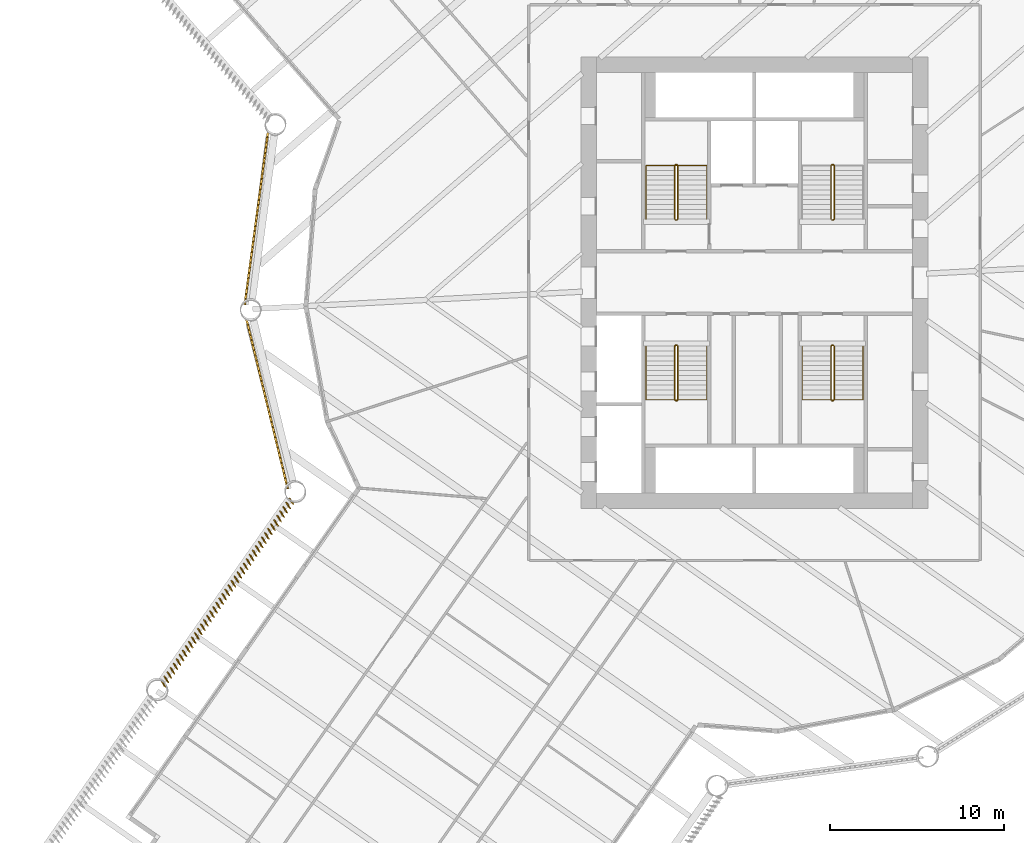
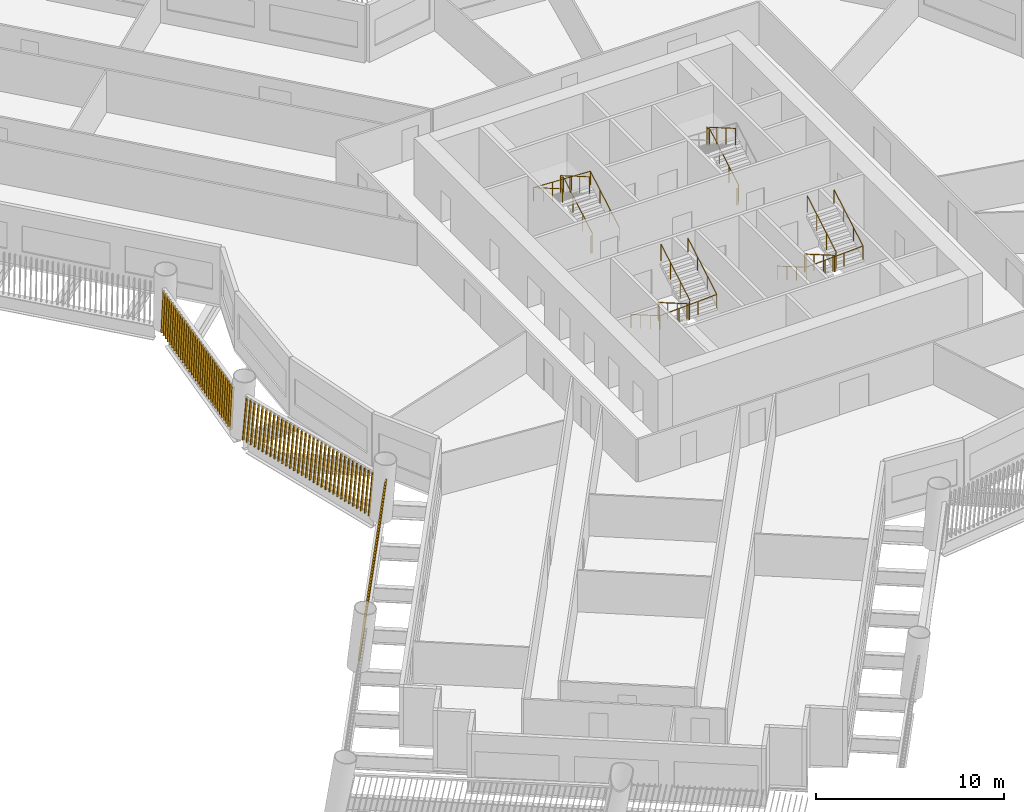
# One storey, part 12 of 15: 7 railings, 3 shading devices.
"""IFC4 building model written with IfcOpenShell, lengths in metres."""

from ifc_helpers import new_model, si_unit, direction, frame, frame_2d, origin, origin_2d, place, context, subcontext, project, spatial, rectangle, circle, composite_profile, extrude, material, type_object, element, save


model = new_model("IFC4")

# Units and contexts
model_context = context("Model", 3, precision=1e-05, world=origin(), true_north=direction((0.0, 1.0)))
body_context = subcontext(model_context, "Body", "Model", "MODEL_VIEW")
ifc_project = project(units=[si_unit("LENGTHUNIT", "METRE"), si_unit("AREAUNIT", "SQUARE_METRE"), si_unit("VOLUMEUNIT", "CUBIC_METRE"), si_unit("PLANEANGLEUNIT", "RADIAN"), si_unit("MASSUNIT", "GRAM", prefix="KILO")], contexts=[model_context])

# Site, building, storey
site_placement = place(None, origin())
site = spatial("IfcSite", under=ifc_project, at=site_placement, CompositionType="ELEMENT")
building_placement = place(site_placement, origin())
building = spatial("IfcBuilding", under=site, at=building_placement, Name="Tarsis Ring Headquarters", CompositionType="ELEMENT")
storey_placement = place(building_placement, frame((0.0, 0.0, 51.699951171875)))
storey = spatial("IfcBuildingStorey", under=building, at=storey_placement, Name="L10", CompositionType="ELEMENT", Elevation=51.699951171875)

# Railings
ifc_material_1 = material(Name="Steel S355", Category="steel")
railing_type_1 = type_object("IfcRailingType", Name="Core stair guard 1100", PredefinedType="GUARDRAIL", material=ifc_material_1)
railing_1_placement = place(storey_placement, frame((-4.5400390625, 3.610107421875, 0.0)))
element("IfcRailing", 1, at=railing_1_placement, inside=storey, type_object=railing_type_1, Name="L10 ST1 stair guard 1", PredefinedType="GUARDRAIL", context=body_context, shape_type="SweptSolid", body=[
    extrude(circle(Radius=0.02392578125, at=origin_2d()), frame((0.0, 0.0, 1.076171875), z_axis=(1.0, 0.0, 0.0), x_axis=(0.0, 1.0, 0.0)), (0.0, 0.0, 1.0), 0.080078125),
    extrude(circle(Radius=0.02392578125, at=origin_2d()), frame((0.080078125, 0.0, 1.076171875), z_axis=(0.282336740067, 0.280959487676, 0.917250092119), x_axis=(-0.705375805398, 0.708833529934, 0.0)), (0.0, 0.0, 1.0), 0.17724609375),
    extrude(circle(Radius=0.02392578125, at=origin_2d()), frame((0.130126953125, 0.0498046875, 1.23876953125), z_axis=(0.0, 0.864920483161, 0.501908913857), x_axis=(-1.0, 0.0, 0.0)), (0.0, 0.0, 1.0), 3.56103515625),
    extrude(circle(Radius=0.02392578125, at=origin_2d()), frame((0.130126953125, 3.1298828125, 3.02587890625), z_axis=(-0.707106781187, 0.707106781187, 0.0), x_axis=(-0.707106781187, -0.707106781187, 0.0)), (0.0, 0.0, 1.0), 0.07080078125),
    extrude(circle(Radius=0.02392578125, at=origin_2d()), frame((0.080078125, 3.179931640625, 3.02587890625), z_axis=(-1.0, 0.0, 0.0), x_axis=(0.0, -1.0, 0.0)), (0.0, 0.0, 1.0), 0.080078125),
    extrude(circle(Radius=0.02392578125, at=origin_2d()), frame((0.0, 3.179931640625, 3.02587890625), z_axis=(-0.282227285176, -0.282227285176, 0.916894497205), x_axis=(0.707106781187, -0.707106781187, 0.0)), (0.0, 0.0, 1.0), 0.17724609375),
    extrude(circle(Radius=0.02392578125, at=origin_2d()), frame((-0.050048828125, 3.1298828125, 3.1884765625), z_axis=(0.0, -0.864890721111, 0.501960198159), x_axis=(1.0, 0.0, 0.0)), (0.0, 0.0, 1.0), 3.561279296875),
    extrude(circle(Radius=0.02099609375, at=origin_2d()), origin(), (0.0, 0.0, 1.0), 1.052001953125),
    extrude(circle(Radius=0.02099609375, at=origin_2d()), frame((0.080078125, 0.0, 0.0)), (0.0, 0.0, 1.0), 1.052001953125),
    extrude(circle(Radius=0.02099609375, at=origin_2d()), frame((0.130126953125, 0.0498046875, 0.16259765625)), (0.0, 0.0, 1.0), 1.052001953125),
    extrude(circle(Radius=0.02099609375, at=origin_2d()), frame((0.130126953125, 1.076416015625, 0.75830078125)), (0.0, 0.0, 1.0), 1.052001953125),
    extrude(circle(Radius=0.02099609375, at=origin_2d()), frame((0.130126953125, 2.103271484375, 1.354248046875)), (0.0, 0.0, 1.0), 1.052001953125),
    extrude(circle(Radius=0.02099609375, at=origin_2d()), frame((0.130126953125, 3.1298828125, 1.949951171875)), (0.0, 0.0, 1.0), 1.052001953125),
    extrude(circle(Radius=0.02099609375, at=origin_2d()), frame((0.080078125, 3.179931640625, 1.949951171875)), (0.0, 0.0, 1.0), 1.052001953125),
    extrude(circle(Radius=0.02099609375, at=origin_2d()), frame((0.0, 3.179931640625, 1.949951171875)), (0.0, 0.0, 1.0), 1.052001953125),
    extrude(circle(Radius=0.02099609375, at=origin_2d()), frame((-0.050048828125, 3.1298828125, 2.112548828125)), (0.0, 0.0, 1.0), 1.052001953125),
    extrude(circle(Radius=0.02099609375, at=origin_2d()), frame((-0.050048828125, 2.103271484375, 2.70849609375)), (0.0, 0.0, 1.0), 1.052001953125),
    extrude(circle(Radius=0.02099609375, at=origin_2d()), frame((-0.050048828125, 1.076416015625, 3.30419921875)), (0.0, 0.0, 1.0), 1.052001953125),
    extrude(circle(Radius=0.02099609375, at=origin_2d()), frame((-0.050048828125, 0.0498046875, 3.900146484375)), (0.0, 0.0, 1.0), 1.052001953125),
])
railing_2_placement = place(storey_placement, frame((4.4599609375, 3.610107421875, 0.0)))
element("IfcRailing", 2, at=railing_2_placement, inside=storey, type_object=railing_type_1, Name="L10 ST2 stair guard 1", PredefinedType="GUARDRAIL", context=body_context, shape_type="SweptSolid", body=[
    extrude(circle(Radius=0.02392578125, at=origin_2d()), frame((0.0, 0.0, 1.076171875), z_axis=(1.0, 0.0, 0.0), x_axis=(0.0, 1.0, 0.0)), (0.0, 0.0, 1.0), 0.080078125),
    extrude(circle(Radius=0.02392578125, at=origin_2d()), frame((0.080078125, 0.0, 1.076171875), z_axis=(0.282336740067, 0.280959487676, 0.917250092119), x_axis=(-0.705375805398, 0.708833529934, 0.0)), (0.0, 0.0, 1.0), 0.17724609375),
    extrude(circle(Radius=0.02392578125, at=origin_2d()), frame((0.130126953125, 0.0498046875, 1.23876953125), z_axis=(0.0, 0.864920483161, 0.501908913857), x_axis=(-1.0, 0.0, 0.0)), (0.0, 0.0, 1.0), 3.56103515625),
    extrude(circle(Radius=0.02392578125, at=origin_2d()), frame((0.130126953125, 3.1298828125, 3.02587890625), z_axis=(-0.707106781187, 0.707106781187, 0.0), x_axis=(-0.707106781187, -0.707106781187, 0.0)), (0.0, 0.0, 1.0), 0.07080078125),
    extrude(circle(Radius=0.02392578125, at=origin_2d()), frame((0.080078125, 3.179931640625, 3.02587890625), z_axis=(-1.0, 0.0, 0.0), x_axis=(0.0, -1.0, 0.0)), (0.0, 0.0, 1.0), 0.080078125),
    extrude(circle(Radius=0.02392578125, at=origin_2d()), frame((0.0, 3.179931640625, 3.02587890625), z_axis=(-0.282227285176, -0.282227285176, 0.916894497205), x_axis=(0.707106781187, -0.707106781187, 0.0)), (0.0, 0.0, 1.0), 0.17724609375),
    extrude(circle(Radius=0.02392578125, at=origin_2d()), frame((-0.050048828125, 3.1298828125, 3.1884765625), z_axis=(0.0, -0.864890721111, 0.501960198159), x_axis=(1.0, 0.0, 0.0)), (0.0, 0.0, 1.0), 3.561279296875),
    extrude(circle(Radius=0.02099609375, at=origin_2d()), origin(), (0.0, 0.0, 1.0), 1.052001953125),
    extrude(circle(Radius=0.02099609375, at=origin_2d()), frame((0.080078125, 0.0, 0.0)), (0.0, 0.0, 1.0), 1.052001953125),
    extrude(circle(Radius=0.02099609375, at=origin_2d()), frame((0.130126953125, 0.0498046875, 0.16259765625)), (0.0, 0.0, 1.0), 1.052001953125),
    extrude(circle(Radius=0.02099609375, at=origin_2d()), frame((0.130126953125, 1.076416015625, 0.75830078125)), (0.0, 0.0, 1.0), 1.052001953125),
    extrude(circle(Radius=0.02099609375, at=origin_2d()), frame((0.130126953125, 2.103271484375, 1.354248046875)), (0.0, 0.0, 1.0), 1.052001953125),
    extrude(circle(Radius=0.02099609375, at=origin_2d()), frame((0.130126953125, 3.1298828125, 1.949951171875)), (0.0, 0.0, 1.0), 1.052001953125),
    extrude(circle(Radius=0.02099609375, at=origin_2d()), frame((0.080078125, 3.179931640625, 1.949951171875)), (0.0, 0.0, 1.0), 1.052001953125),
    extrude(circle(Radius=0.02099609375, at=origin_2d()), frame((0.0, 3.179931640625, 1.949951171875)), (0.0, 0.0, 1.0), 1.052001953125),
    extrude(circle(Radius=0.02099609375, at=origin_2d()), frame((-0.050048828125, 3.1298828125, 2.112548828125)), (0.0, 0.0, 1.0), 1.052001953125),
    extrude(circle(Radius=0.02099609375, at=origin_2d()), frame((-0.050048828125, 2.103271484375, 2.70849609375)), (0.0, 0.0, 1.0), 1.052001953125),
    extrude(circle(Radius=0.02099609375, at=origin_2d()), frame((-0.050048828125, 1.076416015625, 3.30419921875)), (0.0, 0.0, 1.0), 1.052001953125),
    extrude(circle(Radius=0.02099609375, at=origin_2d()), frame((-0.050048828125, 0.0498046875, 3.900146484375)), (0.0, 0.0, 1.0), 1.052001953125),
])
railing_3_placement = place(storey_placement, frame((-4.4599609375, -3.610107421875, 0.0)))
element("IfcRailing", 3, at=railing_3_placement, inside=storey, type_object=railing_type_1, Name="L10 ST3 stair guard 1", PredefinedType="GUARDRAIL", context=body_context, shape_type="SweptSolid", body=[
    extrude(circle(Radius=0.02392578125, at=origin_2d()), frame((0.0, 0.0, 1.076171875), z_axis=(-1.0, 0.0, 0.0), x_axis=(0.0, -1.0, 0.0)), (0.0, 0.0, 1.0), 0.080078125),
    extrude(circle(Radius=0.02392578125, at=origin_2d()), frame((-0.080078125, 0.0, 1.076171875), z_axis=(-0.282336740067, -0.280959487676, 0.917250092119), x_axis=(0.705375805398, -0.708833529934, 0.0)), (0.0, 0.0, 1.0), 0.17724609375),
    extrude(circle(Radius=0.02392578125, at=origin_2d()), frame((-0.130126953125, -0.0498046875, 1.23876953125), z_axis=(0.0, -0.864920483161, 0.501908913857), x_axis=(1.0, 0.0, 0.0)), (0.0, 0.0, 1.0), 3.56103515625),
    extrude(circle(Radius=0.02392578125, at=origin_2d()), frame((-0.130126953125, -3.1298828125, 3.02587890625), z_axis=(0.707106781187, -0.707106781187, 0.0), x_axis=(0.707106781187, 0.707106781187, 0.0)), (0.0, 0.0, 1.0), 0.07080078125),
    extrude(circle(Radius=0.02392578125, at=origin_2d()), frame((-0.080078125, -3.179931640625, 3.02587890625), z_axis=(1.0, 0.0, 0.0), x_axis=(0.0, 1.0, 0.0)), (0.0, 0.0, 1.0), 0.080078125),
    extrude(circle(Radius=0.02392578125, at=origin_2d()), frame((0.0, -3.179931640625, 3.02587890625), z_axis=(0.282227285176, 0.282227285176, 0.916894497205), x_axis=(-0.707106781187, 0.707106781187, 0.0)), (0.0, 0.0, 1.0), 0.17724609375),
    extrude(circle(Radius=0.02392578125, at=origin_2d()), frame((0.050048828125, -3.1298828125, 3.1884765625), z_axis=(0.0, 0.864890721111, 0.501960198159), x_axis=(-1.0, 0.0, 0.0)), (0.0, 0.0, 1.0), 3.561279296875),
    extrude(circle(Radius=0.02099609375, at=origin_2d()), origin(), (0.0, 0.0, 1.0), 1.052001953125),
    extrude(circle(Radius=0.02099609375, at=origin_2d()), frame((-0.080078125, 0.0, 0.0)), (0.0, 0.0, 1.0), 1.052001953125),
    extrude(circle(Radius=0.02099609375, at=origin_2d()), frame((-0.130126953125, -0.0498046875, 0.16259765625)), (0.0, 0.0, 1.0), 1.052001953125),
    extrude(circle(Radius=0.02099609375, at=origin_2d()), frame((-0.130126953125, -1.076416015625, 0.75830078125)), (0.0, 0.0, 1.0), 1.052001953125),
    extrude(circle(Radius=0.02099609375, at=origin_2d()), frame((-0.130126953125, -2.103271484375, 1.354248046875)), (0.0, 0.0, 1.0), 1.052001953125),
    extrude(circle(Radius=0.02099609375, at=origin_2d()), frame((-0.130126953125, -3.1298828125, 1.949951171875)), (0.0, 0.0, 1.0), 1.052001953125),
    extrude(circle(Radius=0.02099609375, at=origin_2d()), frame((-0.080078125, -3.179931640625, 1.949951171875)), (0.0, 0.0, 1.0), 1.052001953125),
    extrude(circle(Radius=0.02099609375, at=origin_2d()), frame((0.0, -3.179931640625, 1.949951171875)), (0.0, 0.0, 1.0), 1.052001953125),
    extrude(circle(Radius=0.02099609375, at=origin_2d()), frame((0.050048828125, -3.1298828125, 2.112548828125)), (0.0, 0.0, 1.0), 1.052001953125),
    extrude(circle(Radius=0.02099609375, at=origin_2d()), frame((0.050048828125, -2.103271484375, 2.70849609375)), (0.0, 0.0, 1.0), 1.052001953125),
    extrude(circle(Radius=0.02099609375, at=origin_2d()), frame((0.050048828125, -1.076416015625, 3.30419921875)), (0.0, 0.0, 1.0), 1.052001953125),
    extrude(circle(Radius=0.02099609375, at=origin_2d()), frame((0.050048828125, -0.0498046875, 3.900146484375)), (0.0, 0.0, 1.0), 1.052001953125),
])
railing_4_placement = place(storey_placement, frame((4.5400390625, -3.610107421875, 0.0)))
element("IfcRailing", 4, at=railing_4_placement, inside=storey, type_object=railing_type_1, Name="L10 ST4 stair guard 1", PredefinedType="GUARDRAIL", context=body_context, shape_type="SweptSolid", body=[
    extrude(circle(Radius=0.02392578125, at=origin_2d()), frame((0.0, 0.0, 1.076171875), z_axis=(-1.0, 0.0, 0.0), x_axis=(0.0, -1.0, 0.0)), (0.0, 0.0, 1.0), 0.080078125),
    extrude(circle(Radius=0.02392578125, at=origin_2d()), frame((-0.080078125, 0.0, 1.076171875), z_axis=(-0.282336740067, -0.280959487676, 0.917250092119), x_axis=(0.705375805398, -0.708833529934, 0.0)), (0.0, 0.0, 1.0), 0.17724609375),
    extrude(circle(Radius=0.02392578125, at=origin_2d()), frame((-0.130126953125, -0.0498046875, 1.23876953125), z_axis=(0.0, -0.864920483161, 0.501908913857), x_axis=(1.0, 0.0, 0.0)), (0.0, 0.0, 1.0), 3.56103515625),
    extrude(circle(Radius=0.02392578125, at=origin_2d()), frame((-0.130126953125, -3.1298828125, 3.02587890625), z_axis=(0.707106781187, -0.707106781187, 0.0), x_axis=(0.707106781187, 0.707106781187, 0.0)), (0.0, 0.0, 1.0), 0.07080078125),
    extrude(circle(Radius=0.02392578125, at=origin_2d()), frame((-0.080078125, -3.179931640625, 3.02587890625), z_axis=(1.0, 0.0, 0.0), x_axis=(0.0, 1.0, 0.0)), (0.0, 0.0, 1.0), 0.080078125),
    extrude(circle(Radius=0.02392578125, at=origin_2d()), frame((0.0, -3.179931640625, 3.02587890625), z_axis=(0.282227285176, 0.282227285176, 0.916894497205), x_axis=(-0.707106781187, 0.707106781187, 0.0)), (0.0, 0.0, 1.0), 0.17724609375),
    extrude(circle(Radius=0.02392578125, at=origin_2d()), frame((0.050048828125, -3.1298828125, 3.1884765625), z_axis=(0.0, 0.864890721111, 0.501960198159), x_axis=(-1.0, 0.0, 0.0)), (0.0, 0.0, 1.0), 3.561279296875),
    extrude(circle(Radius=0.02099609375, at=origin_2d()), origin(), (0.0, 0.0, 1.0), 1.052001953125),
    extrude(circle(Radius=0.02099609375, at=origin_2d()), frame((-0.080078125, 0.0, 0.0)), (0.0, 0.0, 1.0), 1.052001953125),
    extrude(circle(Radius=0.02099609375, at=origin_2d()), frame((-0.130126953125, -0.0498046875, 0.16259765625)), (0.0, 0.0, 1.0), 1.052001953125),
    extrude(circle(Radius=0.02099609375, at=origin_2d()), frame((-0.130126953125, -1.076416015625, 0.75830078125)), (0.0, 0.0, 1.0), 1.052001953125),
    extrude(circle(Radius=0.02099609375, at=origin_2d()), frame((-0.130126953125, -2.103271484375, 1.354248046875)), (0.0, 0.0, 1.0), 1.052001953125),
    extrude(circle(Radius=0.02099609375, at=origin_2d()), frame((-0.130126953125, -3.1298828125, 1.949951171875)), (0.0, 0.0, 1.0), 1.052001953125),
    extrude(circle(Radius=0.02099609375, at=origin_2d()), frame((-0.080078125, -3.179931640625, 1.949951171875)), (0.0, 0.0, 1.0), 1.052001953125),
    extrude(circle(Radius=0.02099609375, at=origin_2d()), frame((0.0, -3.179931640625, 1.949951171875)), (0.0, 0.0, 1.0), 1.052001953125),
    extrude(circle(Radius=0.02099609375, at=origin_2d()), frame((0.050048828125, -3.1298828125, 2.112548828125)), (0.0, 0.0, 1.0), 1.052001953125),
    extrude(circle(Radius=0.02099609375, at=origin_2d()), frame((0.050048828125, -2.103271484375, 2.70849609375)), (0.0, 0.0, 1.0), 1.052001953125),
    extrude(circle(Radius=0.02099609375, at=origin_2d()), frame((0.050048828125, -1.076416015625, 3.30419921875)), (0.0, 0.0, 1.0), 1.052001953125),
    extrude(circle(Radius=0.02099609375, at=origin_2d()), frame((0.050048828125, -0.0498046875, 3.900146484375)), (0.0, 0.0, 1.0), 1.052001953125),
])
railing_type_2 = type_object("IfcRailingType", Name="Core stair handrail 900", PredefinedType="HANDRAIL", material=ifc_material_1)
railing_5_placement = place(storey_placement, frame((-2.75, 3.659912109375, 0.16259765625)))
element("IfcRailing", 5, at=railing_5_placement, inside=storey, type_object=railing_type_2, Name="L10 ST1 stair handrail 1", PredefinedType="HANDRAIL", context=body_context, shape_type="SweptSolid", body=[
    extrude(circle(Radius=0.02392578125, at=origin_2d()), frame((0.0, 0.0, 0.8759765625), z_axis=(0.0, 0.864920483161, 0.501908913857), x_axis=(-1.0, 0.0, 0.0)), (0.0, 0.0, 1.0), 3.56103515625),
    extrude(circle(Radius=0.02392578125, at=origin_2d()), frame((0.0, 3.080078125, 2.6630859375), z_axis=(-0.998922641604, 0.0, 0.046406422943), x_axis=(0.0, -1.0, 0.0)), (0.0, 0.0, 1.0), 3.503662109375),
    extrude(circle(Radius=0.02392578125, at=origin_2d()), frame((-3.5, 3.080078125, 2.82568359375), z_axis=(0.0, -0.864890721111, 0.501960198159), x_axis=(1.0, 0.0, 0.0)), (0.0, 0.0, 1.0), 3.561279296875),
    extrude(circle(Radius=0.02099609375, at=origin_2d()), origin(), (0.0, 0.0, 1.0), 0.851806640625),
    extrude(circle(Radius=0.02099609375, at=origin_2d()), frame((0.0, 1.026611328125, 0.595703125)), (0.0, 0.0, 1.0), 0.851806640625),
    extrude(circle(Radius=0.02099609375, at=origin_2d()), frame((0.0, 2.053466796875, 1.191650390625)), (0.0, 0.0, 1.0), 0.851806640625),
    extrude(circle(Radius=0.02099609375, at=origin_2d()), frame((0.0, 3.080078125, 1.787353515625)), (0.0, 0.0, 1.0), 0.851806640625),
    extrude(circle(Radius=0.02099609375, at=origin_2d()), frame((-1.166748046875, 3.080078125, 1.841552734375)), (0.0, 0.0, 1.0), 0.851806640625),
    extrude(circle(Radius=0.02099609375, at=origin_2d()), frame((-2.333251953125, 3.080078125, 1.895751953125)), (0.0, 0.0, 1.0), 0.851806640625),
    extrude(circle(Radius=0.02099609375, at=origin_2d()), frame((-3.5, 3.080078125, 1.949951171875)), (0.0, 0.0, 1.0), 0.851806640625),
    extrude(circle(Radius=0.02099609375, at=origin_2d()), frame((-3.5, 2.053466796875, 2.5458984375)), (0.0, 0.0, 1.0), 0.851806640625),
    extrude(circle(Radius=0.02099609375, at=origin_2d()), frame((-3.5, 1.026611328125, 3.1416015625)), (0.0, 0.0, 1.0), 0.851806640625),
    extrude(circle(Radius=0.02099609375, at=origin_2d()), frame((-3.5, 0.0, 3.737548828125)), (0.0, 0.0, 1.0), 0.851806640625),
])
railing_6_placement = place(storey_placement, frame((-6.25, -3.659912109375, 0.16259765625)))
element("IfcRailing", 6, at=railing_6_placement, inside=storey, type_object=railing_type_2, Name="L10 ST3 stair handrail 1", PredefinedType="HANDRAIL", context=body_context, shape_type="SweptSolid", body=[
    extrude(circle(Radius=0.02392578125, at=origin_2d()), frame((0.0, 0.0, 0.8759765625), z_axis=(0.0, -0.864920483161, 0.501908913857), x_axis=(1.0, 0.0, 0.0)), (0.0, 0.0, 1.0), 3.56103515625),
    extrude(circle(Radius=0.02392578125, at=origin_2d()), frame((0.0, -3.080078125, 2.6630859375), z_axis=(0.998922641604, 0.0, 0.046406422943), x_axis=(0.0, 1.0, 0.0)), (0.0, 0.0, 1.0), 3.503662109375),
    extrude(circle(Radius=0.02392578125, at=origin_2d()), frame((3.5, -3.080078125, 2.82568359375), z_axis=(0.0, 0.864890721111, 0.501960198159), x_axis=(-1.0, 0.0, 0.0)), (0.0, 0.0, 1.0), 3.561279296875),
    extrude(circle(Radius=0.02099609375, at=origin_2d()), origin(), (0.0, 0.0, 1.0), 0.851806640625),
    extrude(circle(Radius=0.02099609375, at=origin_2d()), frame((0.0, -1.026611328125, 0.595703125)), (0.0, 0.0, 1.0), 0.851806640625),
    extrude(circle(Radius=0.02099609375, at=origin_2d()), frame((0.0, -2.053466796875, 1.191650390625)), (0.0, 0.0, 1.0), 0.851806640625),
    extrude(circle(Radius=0.02099609375, at=origin_2d()), frame((0.0, -3.080078125, 1.787353515625)), (0.0, 0.0, 1.0), 0.851806640625),
    extrude(circle(Radius=0.02099609375, at=origin_2d()), frame((1.166748046875, -3.080078125, 1.841552734375)), (0.0, 0.0, 1.0), 0.851806640625),
    extrude(circle(Radius=0.02099609375, at=origin_2d()), frame((2.333251953125, -3.080078125, 1.895751953125)), (0.0, 0.0, 1.0), 0.851806640625),
    extrude(circle(Radius=0.02099609375, at=origin_2d()), frame((3.5, -3.080078125, 1.949951171875)), (0.0, 0.0, 1.0), 0.851806640625),
    extrude(circle(Radius=0.02099609375, at=origin_2d()), frame((3.5, -2.053466796875, 2.5458984375)), (0.0, 0.0, 1.0), 0.851806640625),
    extrude(circle(Radius=0.02099609375, at=origin_2d()), frame((3.5, -1.026611328125, 3.1416015625)), (0.0, 0.0, 1.0), 0.851806640625),
    extrude(circle(Radius=0.02099609375, at=origin_2d()), frame((3.5, 0.0, 3.737548828125)), (0.0, 0.0, 1.0), 0.851806640625),
])
railing_7_placement = place(storey_placement, frame((2.75, -3.659912109375, 0.16259765625)))
element("IfcRailing", 7, at=railing_7_placement, inside=storey, type_object=railing_type_2, Name="L10 ST4 stair handrail 1", PredefinedType="HANDRAIL", context=body_context, shape_type="SweptSolid", body=[
    extrude(circle(Radius=0.02392578125, at=origin_2d()), frame((0.0, 0.0, 0.8759765625), z_axis=(0.0, -0.864920483161, 0.501908913857), x_axis=(1.0, 0.0, 0.0)), (0.0, 0.0, 1.0), 3.56103515625),
    extrude(circle(Radius=0.02392578125, at=origin_2d()), frame((0.0, -3.080078125, 2.6630859375), z_axis=(0.998922641604, 0.0, 0.046406422943), x_axis=(0.0, 1.0, 0.0)), (0.0, 0.0, 1.0), 3.503662109375),
    extrude(circle(Radius=0.02392578125, at=origin_2d()), frame((3.5, -3.080078125, 2.82568359375), z_axis=(0.0, 0.864890721111, 0.501960198159), x_axis=(-1.0, 0.0, 0.0)), (0.0, 0.0, 1.0), 3.561279296875),
    extrude(circle(Radius=0.02099609375, at=origin_2d()), origin(), (0.0, 0.0, 1.0), 0.851806640625),
    extrude(circle(Radius=0.02099609375, at=origin_2d()), frame((0.0, -1.026611328125, 0.595703125)), (0.0, 0.0, 1.0), 0.851806640625),
    extrude(circle(Radius=0.02099609375, at=origin_2d()), frame((0.0, -2.053466796875, 1.191650390625)), (0.0, 0.0, 1.0), 0.851806640625),
    extrude(circle(Radius=0.02099609375, at=origin_2d()), frame((0.0, -3.080078125, 1.787353515625)), (0.0, 0.0, 1.0), 0.851806640625),
    extrude(circle(Radius=0.02099609375, at=origin_2d()), frame((1.166748046875, -3.080078125, 1.841552734375)), (0.0, 0.0, 1.0), 0.851806640625),
    extrude(circle(Radius=0.02099609375, at=origin_2d()), frame((2.333251953125, -3.080078125, 1.895751953125)), (0.0, 0.0, 1.0), 0.851806640625),
    extrude(circle(Radius=0.02099609375, at=origin_2d()), frame((3.5, -3.080078125, 1.949951171875)), (0.0, 0.0, 1.0), 0.851806640625),
    extrude(circle(Radius=0.02099609375, at=origin_2d()), frame((3.5, -2.053466796875, 2.5458984375)), (0.0, 0.0, 1.0), 0.851806640625),
    extrude(circle(Radius=0.02099609375, at=origin_2d()), frame((3.5, -1.026611328125, 3.1416015625)), (0.0, 0.0, 1.0), 0.851806640625),
    extrude(circle(Radius=0.02099609375, at=origin_2d()), frame((3.5, 0.0, 3.737548828125)), (0.0, 0.0, 1.0), 0.851806640625),
])

# Shading devices
ifc_material_2 = material(Name="Terracotta baguette", Category="masonry")
shading_device_type = type_object("IfcShadingDeviceType", Name="Terracotta baguette screen", PredefinedType="USERDEFINED", material=ifc_material_2)
shading_device_1_placement = place(storey_placement, frame((-29.2548828125, -2.0947265625, 0.0), z_axis=(0.0, 0.0, 1.0), x_axis=(0.236602123673, -0.971617738913, 0.0)))
element("IfcShadingDevice", 8, at=shading_device_1_placement, inside=storey, type_object=shading_device_type, Name="Baguette screen L10-00", ObjectType="Terracotta baguette screen", PredefinedType="USERDEFINED", context=body_context, shape_type="SweptSolid", body=[
    extrude(composite_profile([rectangle(XDim=0.06005859375, YDim=0.1201171875, at=frame_2d((0.030029296875, 0.0))), rectangle(XDim=0.06005859375, YDim=0.1201171875, at=frame_2d((0.33349609375, 0.0))), rectangle(XDim=0.06005859375, YDim=0.1201171875, at=frame_2d((0.636962890625, 0.0))), rectangle(XDim=0.06005859375, YDim=0.1201171875, at=frame_2d((0.9404296875, 0.0))), rectangle(XDim=0.06005859375, YDim=0.1201171875, at=frame_2d((1.243896484375, 0.0))), rectangle(XDim=0.06005859375, YDim=0.1201171875, at=frame_2d((1.54736328125, 0.0))), rectangle(XDim=0.06005859375, YDim=0.1201171875, at=frame_2d((1.85107421875, 0.0))), rectangle(XDim=0.06005859375, YDim=0.1201171875, at=frame_2d((2.154541015625, 0.0))), rectangle(XDim=0.06005859375, YDim=0.1201171875, at=frame_2d((2.4580078125, 0.0))), rectangle(XDim=0.06005859375, YDim=0.1201171875, at=frame_2d((2.761474609375, 0.0))), rectangle(XDim=0.06005859375, YDim=0.1201171875, at=frame_2d((3.06494140625, 0.0))), rectangle(XDim=0.06005859375, YDim=0.1201171875, at=frame_2d((3.368408203125, 0.0))), rectangle(XDim=0.06005859375, YDim=0.1201171875, at=frame_2d((3.671875, 0.0))), rectangle(XDim=0.06005859375, YDim=0.1201171875, at=frame_2d((3.975341796875, 0.0))), rectangle(XDim=0.06005859375, YDim=0.1201171875, at=frame_2d((4.27880859375, 0.0))), rectangle(XDim=0.06005859375, YDim=0.1201171875, at=frame_2d((4.582275390625, 0.0))), rectangle(XDim=0.06005859375, YDim=0.1201171875, at=frame_2d((4.8857421875, 0.0))), rectangle(XDim=0.06005859375, YDim=0.1201171875, at=frame_2d((5.189453125, 0.0))), rectangle(XDim=0.06005859375, YDim=0.1201171875, at=frame_2d((5.492919921875, 0.0))), rectangle(XDim=0.06005859375, YDim=0.1201171875, at=frame_2d((5.79638671875, 0.0))), rectangle(XDim=0.06005859375, YDim=0.1201171875, at=frame_2d((6.099853515625, 0.0))), rectangle(XDim=0.06005859375, YDim=0.1201171875, at=frame_2d((6.4033203125, 0.0))), rectangle(XDim=0.06005859375, YDim=0.1201171875, at=frame_2d((6.706787109375, 0.0))), rectangle(XDim=0.06005859375, YDim=0.1201171875, at=frame_2d((7.01025390625, 0.0))), rectangle(XDim=0.06005859375, YDim=0.1201171875, at=frame_2d((7.313720703125, 0.0))), rectangle(XDim=0.06005859375, YDim=0.1201171875, at=frame_2d((7.6171875, 0.0))), rectangle(XDim=0.06005859375, YDim=0.1201171875, at=frame_2d((7.920654296875, 0.0))), rectangle(XDim=0.06005859375, YDim=0.1201171875, at=frame_2d((8.224365234375, 0.0))), rectangle(XDim=0.06005859375, YDim=0.1201171875, at=frame_2d((8.52783203125, 0.0))), rectangle(XDim=0.06005859375, YDim=0.1201171875, at=frame_2d((8.831298828125, 0.0))), rectangle(XDim=0.06005859375, YDim=0.1201171875, at=frame_2d((9.134765625, 0.0))), rectangle(XDim=0.06005859375, YDim=0.1201171875, at=frame_2d((9.438232421875, 0.0))), rectangle(XDim=0.06005859375, YDim=0.1201171875, at=frame_2d((9.74169921875, 0.0)))]), origin(), (0.10203266601, 0.000532815564, 0.994780906117), 2.968017578125),
])
shading_device_2_placement = place(storey_placement, frame((-26.7470703125, -12.395751953125, 0.0), z_axis=(0.0, 0.0, 1.0), x_axis=(-0.573580335686, -0.819157189623, 0.0)))
element("IfcShadingDevice", 9, at=shading_device_2_placement, inside=storey, type_object=shading_device_type, Name="Baguette screen L10-01", ObjectType="Terracotta baguette screen", PredefinedType="USERDEFINED", context=body_context, shape_type="SweptSolid", body=[
    extrude(composite_profile([rectangle(XDim=0.06005859375, YDim=0.1201171875, at=frame_2d((0.030029296875, 0.0))), rectangle(XDim=0.06005859375, YDim=0.1201171875, at=frame_2d((0.335693359375, 0.0))), rectangle(XDim=0.06005859375, YDim=0.1201171875, at=frame_2d((0.6416015625, 0.0))), rectangle(XDim=0.06005859375, YDim=0.1201171875, at=frame_2d((0.947265625, 0.0))), rectangle(XDim=0.06005859375, YDim=0.1201171875, at=frame_2d((1.253173828125, 0.0))), rectangle(XDim=0.06005859375, YDim=0.1201171875, at=frame_2d((1.558837890625, 0.0))), rectangle(XDim=0.06005859375, YDim=0.1201171875, at=frame_2d((1.864501953125, 0.0))), rectangle(XDim=0.06005859375, YDim=0.1201171875, at=frame_2d((2.17041015625, 0.0))), rectangle(XDim=0.06005859375, YDim=0.1201171875, at=frame_2d((2.47607421875, 0.0))), rectangle(XDim=0.06005859375, YDim=0.1201171875, at=frame_2d((2.781982421875, 0.0))), rectangle(XDim=0.06005859375, YDim=0.1201171875, at=frame_2d((3.087646484375, 0.0))), rectangle(XDim=0.06005859375, YDim=0.1201171875, at=frame_2d((3.393310546875, 0.0))), rectangle(XDim=0.06005859375, YDim=0.1201171875, at=frame_2d((3.69921875, 0.0))), rectangle(XDim=0.06005859375, YDim=0.1201171875, at=frame_2d((4.0048828125, 0.0))), rectangle(XDim=0.06005859375, YDim=0.1201171875, at=frame_2d((4.310791015625, 0.0))), rectangle(XDim=0.06005859375, YDim=0.1201171875, at=frame_2d((4.616455078125, 0.0))), rectangle(XDim=0.06005859375, YDim=0.1201171875, at=frame_2d((4.922119140625, 0.0))), rectangle(XDim=0.06005859375, YDim=0.1201171875, at=frame_2d((5.22802734375, 0.0))), rectangle(XDim=0.06005859375, YDim=0.1201171875, at=frame_2d((5.53369140625, 0.0))), rectangle(XDim=0.06005859375, YDim=0.1201171875, at=frame_2d((5.839599609375, 0.0))), rectangle(XDim=0.06005859375, YDim=0.1201171875, at=frame_2d((6.145263671875, 0.0))), rectangle(XDim=0.06005859375, YDim=0.1201171875, at=frame_2d((6.451171875, 0.0))), rectangle(XDim=0.06005859375, YDim=0.1201171875, at=frame_2d((6.7568359375, 0.0))), rectangle(XDim=0.06005859375, YDim=0.1201171875, at=frame_2d((7.0625, 0.0))), rectangle(XDim=0.06005859375, YDim=0.1201171875, at=frame_2d((7.368408203125, 0.0))), rectangle(XDim=0.06005859375, YDim=0.1201171875, at=frame_2d((7.674072265625, 0.0))), rectangle(XDim=0.06005859375, YDim=0.1201171875, at=frame_2d((7.97998046875, 0.0))), rectangle(XDim=0.06005859375, YDim=0.1201171875, at=frame_2d((8.28564453125, 0.0))), rectangle(XDim=0.06005859375, YDim=0.1201171875, at=frame_2d((8.59130859375, 0.0))), rectangle(XDim=0.06005859375, YDim=0.1201171875, at=frame_2d((8.897216796875, 0.0))), rectangle(XDim=0.06005859375, YDim=0.1201171875, at=frame_2d((9.202880859375, 0.0))), rectangle(XDim=0.06005859375, YDim=0.1201171875, at=frame_2d((9.5087890625, 0.0))), rectangle(XDim=0.06005859375, YDim=0.1201171875, at=frame_2d((9.814453125, 0.0))), rectangle(XDim=0.06005859375, YDim=0.1201171875, at=frame_2d((10.1201171875, 0.0))), rectangle(XDim=0.06005859375, YDim=0.1201171875, at=frame_2d((10.426025390625, 0.0))), rectangle(XDim=0.06005859375, YDim=0.1201171875, at=frame_2d((10.731689453125, 0.0))), rectangle(XDim=0.06005859375, YDim=0.1201171875, at=frame_2d((11.03759765625, 0.0))), rectangle(XDim=0.06005859375, YDim=0.1201171875, at=frame_2d((11.34326171875, 0.0))), rectangle(XDim=0.06005859375, YDim=0.1201171875, at=frame_2d((11.64892578125, 0.0))), rectangle(XDim=0.06005859375, YDim=0.1201171875, at=frame_2d((11.954833984375, 0.0))), rectangle(XDim=0.06005859375, YDim=0.1201171875, at=frame_2d((12.260498046875, 0.0))), rectangle(XDim=0.06005859375, YDim=0.1201171875, at=frame_2d((12.56640625, 0.0))), rectangle(XDim=0.06005859375, YDim=0.1201171875, at=frame_2d((12.8720703125, 0.0)))]), origin(), (0.051496587501, 0.112701861976, 0.992293500827), 2.9755859375),
])
shading_device_3_placement = place(storey_placement, frame((-28.0068359375, 8.709228515625, 0.0), z_axis=(0.0, 0.0, 1.0), x_axis=(-0.133719768139, -0.991030381771, 0.0)))
element("IfcShadingDevice", 10, at=shading_device_3_placement, inside=storey, type_object=shading_device_type, Name="Baguette screen L10-21", ObjectType="Terracotta baguette screen", PredefinedType="USERDEFINED", context=body_context, shape_type="SweptSolid", body=[
    extrude(composite_profile([rectangle(XDim=0.06005859375, YDim=0.1201171875, at=frame_2d((0.030029296875, 0.0))), rectangle(XDim=0.06005859375, YDim=0.1201171875, at=frame_2d((0.33349609375, 0.0))), rectangle(XDim=0.06005859375, YDim=0.1201171875, at=frame_2d((0.636962890625, 0.0))), rectangle(XDim=0.06005859375, YDim=0.1201171875, at=frame_2d((0.9404296875, 0.0))), rectangle(XDim=0.06005859375, YDim=0.1201171875, at=frame_2d((1.243896484375, 0.0))), rectangle(XDim=0.06005859375, YDim=0.1201171875, at=frame_2d((1.54736328125, 0.0))), rectangle(XDim=0.06005859375, YDim=0.1201171875, at=frame_2d((1.850830078125, 0.0))), rectangle(XDim=0.06005859375, YDim=0.1201171875, at=frame_2d((2.154296875, 0.0))), rectangle(XDim=0.06005859375, YDim=0.1201171875, at=frame_2d((2.4580078125, 0.0))), rectangle(XDim=0.06005859375, YDim=0.1201171875, at=frame_2d((2.761474609375, 0.0))), rectangle(XDim=0.06005859375, YDim=0.1201171875, at=frame_2d((3.06494140625, 0.0))), rectangle(XDim=0.06005859375, YDim=0.1201171875, at=frame_2d((3.368408203125, 0.0))), rectangle(XDim=0.06005859375, YDim=0.1201171875, at=frame_2d((3.671875, 0.0))), rectangle(XDim=0.06005859375, YDim=0.1201171875, at=frame_2d((3.975341796875, 0.0))), rectangle(XDim=0.06005859375, YDim=0.1201171875, at=frame_2d((4.27880859375, 0.0))), rectangle(XDim=0.06005859375, YDim=0.1201171875, at=frame_2d((4.582275390625, 0.0))), rectangle(XDim=0.06005859375, YDim=0.1201171875, at=frame_2d((4.8857421875, 0.0))), rectangle(XDim=0.06005859375, YDim=0.1201171875, at=frame_2d((5.189208984375, 0.0))), rectangle(XDim=0.06005859375, YDim=0.1201171875, at=frame_2d((5.49267578125, 0.0))), rectangle(XDim=0.06005859375, YDim=0.1201171875, at=frame_2d((5.796142578125, 0.0))), rectangle(XDim=0.06005859375, YDim=0.1201171875, at=frame_2d((6.099609375, 0.0))), rectangle(XDim=0.06005859375, YDim=0.1201171875, at=frame_2d((6.403076171875, 0.0))), rectangle(XDim=0.06005859375, YDim=0.1201171875, at=frame_2d((6.70654296875, 0.0))), rectangle(XDim=0.06005859375, YDim=0.1201171875, at=frame_2d((7.010009765625, 0.0))), rectangle(XDim=0.06005859375, YDim=0.1201171875, at=frame_2d((7.3134765625, 0.0))), rectangle(XDim=0.06005859375, YDim=0.1201171875, at=frame_2d((7.6171875, 0.0))), rectangle(XDim=0.06005859375, YDim=0.1201171875, at=frame_2d((7.920654296875, 0.0))), rectangle(XDim=0.06005859375, YDim=0.1201171875, at=frame_2d((8.22412109375, 0.0))), rectangle(XDim=0.06005859375, YDim=0.1201171875, at=frame_2d((8.527587890625, 0.0))), rectangle(XDim=0.06005859375, YDim=0.1201171875, at=frame_2d((8.8310546875, 0.0))), rectangle(XDim=0.06005859375, YDim=0.1201171875, at=frame_2d((9.134521484375, 0.0))), rectangle(XDim=0.06005859375, YDim=0.1201171875, at=frame_2d((9.43798828125, 0.0))), rectangle(XDim=0.06005859375, YDim=0.1201171875, at=frame_2d((9.741455078125, 0.0)))]), origin(), (0.102032438122, 0.0005335836, 0.994780929079), 2.968017578125),
])

save(model, "model.ifc")
